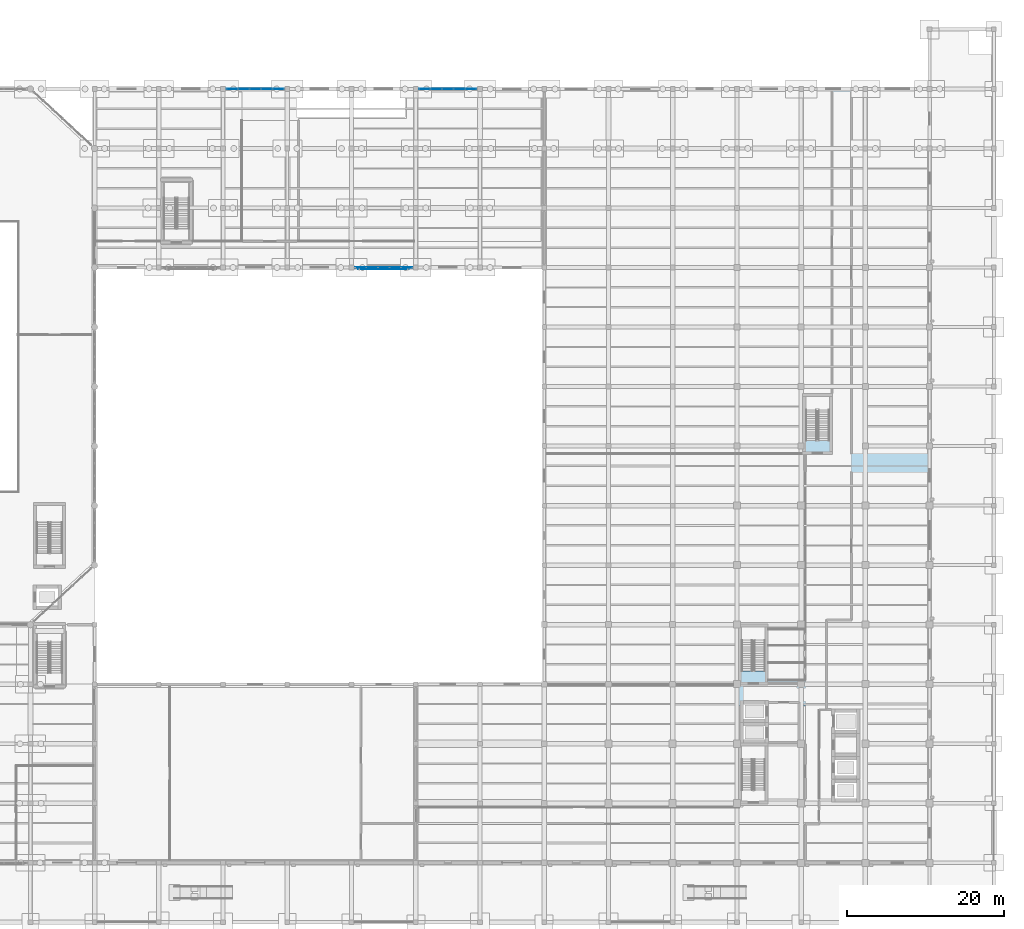
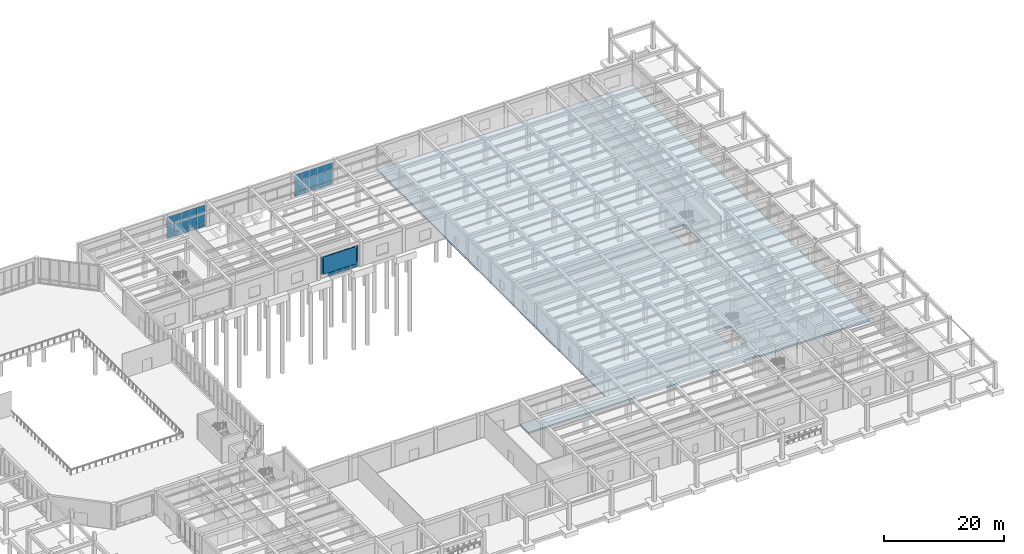
# One storey, part 40 of 64: 30 plates, 1 slab, 3 elements without a shape of their own.
"""IFC4 building model written with IfcOpenShell, lengths in metres."""

from ifc_helpers import new_model, si_unit, direction, frame, origin, origin_2d, place, context, subcontext, project, spatial, polyline, rectangle, outline, extrude, material, layer, layer_set, type_object, element, aggregate, save


model = new_model("IFC4")

# Units and contexts
model_context = context("Model", 3, precision=1e-05, world=origin(), true_north=direction((0.0, 1.0)))
body_context = subcontext(model_context, "Body", "Model", "MODEL_VIEW")
ifc_project = project(units=[si_unit("LENGTHUNIT", "METRE"), si_unit("AREAUNIT", "SQUARE_METRE"), si_unit("VOLUMEUNIT", "CUBIC_METRE"), si_unit("PLANEANGLEUNIT", "RADIAN"), si_unit("MASSUNIT", "GRAM", prefix="KILO")], contexts=[model_context])

# Site, building, storey
site_placement = place(None, origin())
site = spatial("IfcSite", under=ifc_project, at=site_placement, CompositionType="ELEMENT")
building_placement = place(site_placement, origin())
building = spatial("IfcBuilding", under=site, at=building_placement, Name="Qandaris Square Conservatory and Botanical Centre", CompositionType="ELEMENT")
storey_placement = place(building_placement, origin())
storey = spatial("IfcBuildingStorey", under=building, at=storey_placement, Name="L00", CompositionType="ELEMENT", Elevation=0.0)

# Curtain wall, plates
ifc_material_1 = material(Name="Anodised Aluminium", Category="aluminium")
curtain_wall_type_1 = type_object("IfcCurtainWallType", Name="Unitised Curtain Wall CW-5-740x450", PredefinedType="USERDEFINED", material=ifc_material_1)
curtain_wall_1_placement = place(storey_placement, origin())
curtain_wall_1 = element("IfcCurtainWall", 1, at=curtain_wall_1_placement, inside=storey, type_object=curtain_wall_type_1, Name="Curtain Wall CW-V3B-L00-1-5", ObjectType="GLAZED CURTAIN WALL", PredefinedType="USERDEFINED")
ifc_material_2 = material(Name="Tempered Low-E Glass", Category="glass")
ifc_layer_1 = layer(ifc_material_2, 0.035888671875)
ifc_layer_set_1 = layer_set([ifc_layer_1], Name="Tempered Low-E Glass")
plate_type_1 = type_object("IfcPlateType", Name="Double-Glazed Solar Control Vision Unit 36mm", PredefinedType="CURTAIN_PANEL", material=ifc_layer_set_1)
plate_1_placement = place(storey_placement, frame((91.15625, 92.60009765625, 0.88232421875), z_axis=(0.0, 0.0, 1.0), x_axis=(1.0, 0.0, 0.0)))
plate_1 = element("IfcPlate", 2, at=plate_1_placement, type_object=plate_type_1, Name="CW-5-740x450 panel 1.2", PredefinedType="CURTAIN_PANEL", context=body_context, shape_type="SweptSolid", body=[
    extrude(rectangle(XDim=1.382568359375, YDim=0.035888671875, at=origin_2d()), origin(), (0.0, 0.0, 1.0), 3.552490234375),
])
plate_2_placement = place(storey_placement, frame((92.6201171875, 92.60009765625, 0.06494140625), z_axis=(0.0, 0.0, 1.0), x_axis=(1.0, 0.0, 0.0)))
plate_2 = element("IfcPlate", 3, at=plate_2_placement, type_object=plate_type_1, Name="CW-5-740x450 panel 2.1", PredefinedType="CURTAIN_PANEL", context=body_context, shape_type="SweptSolid", body=[
    extrude(rectangle(XDim=1.4150390625, YDim=0.035888671875, at=origin_2d()), origin(), (0.0, 0.0, 1.0), 0.75244140625),
])
plate_3_placement = place(storey_placement, frame((92.6201171875, 92.60009765625, 0.88232421875), z_axis=(0.0, 0.0, 1.0), x_axis=(1.0, 0.0, 0.0)))
plate_3 = element("IfcPlate", 4, at=plate_3_placement, type_object=plate_type_1, Name="CW-5-740x450 panel 2.2", PredefinedType="CURTAIN_PANEL", context=body_context, shape_type="SweptSolid", body=[
    extrude(rectangle(XDim=1.4150390625, YDim=0.035888671875, at=origin_2d()), origin(), (0.0, 0.0, 1.0), 3.552490234375),
])
plate_4_placement = place(storey_placement, frame((94.10009765625, 92.60009765625, 0.06494140625), z_axis=(0.0, 0.0, 1.0), x_axis=(1.0, 0.0, 0.0)))
plate_4 = element("IfcPlate", 5, at=plate_4_placement, type_object=plate_type_1, Name="CW-5-740x450 panel 3.1", PredefinedType="CURTAIN_PANEL", context=body_context, shape_type="SweptSolid", body=[
    extrude(rectangle(XDim=1.4150390625, YDim=0.035888671875, at=origin_2d()), origin(), (0.0, 0.0, 1.0), 0.75244140625),
])
plate_5_placement = place(storey_placement, frame((94.10009765625, 92.60009765625, 0.88232421875), z_axis=(0.0, 0.0, 1.0), x_axis=(1.0, 0.0, 0.0)))
plate_5 = element("IfcPlate", 6, at=plate_5_placement, type_object=plate_type_1, Name="CW-5-740x450 panel 3.2", PredefinedType="CURTAIN_PANEL", context=body_context, shape_type="SweptSolid", body=[
    extrude(rectangle(XDim=1.4150390625, YDim=0.035888671875, at=origin_2d()), origin(), (0.0, 0.0, 1.0), 3.552490234375),
])
plate_6_placement = place(storey_placement, frame((95.580078125, 92.60009765625, 0.06494140625), z_axis=(0.0, 0.0, 1.0), x_axis=(1.0, 0.0, 0.0)))
plate_6 = element("IfcPlate", 7, at=plate_6_placement, type_object=plate_type_1, Name="CW-5-740x450 panel 4.1", PredefinedType="CURTAIN_PANEL", context=body_context, shape_type="SweptSolid", body=[
    extrude(rectangle(XDim=1.4150390625, YDim=0.035888671875, at=origin_2d()), origin(), (0.0, 0.0, 1.0), 0.75244140625),
])
plate_7_placement = place(storey_placement, frame((95.580078125, 92.60009765625, 0.88232421875), z_axis=(0.0, 0.0, 1.0), x_axis=(1.0, 0.0, 0.0)))
plate_7 = element("IfcPlate", 8, at=plate_7_placement, type_object=plate_type_1, Name="CW-5-740x450 panel 4.2", PredefinedType="CURTAIN_PANEL", context=body_context, shape_type="SweptSolid", body=[
    extrude(rectangle(XDim=1.4150390625, YDim=0.035888671875, at=origin_2d()), origin(), (0.0, 0.0, 1.0), 3.552490234375),
])
plate_8_placement = place(storey_placement, frame((97.043701171875, 92.60009765625, 0.06494140625), z_axis=(0.0, 0.0, 1.0), x_axis=(1.0, 0.0, 0.0)))
plate_8 = element("IfcPlate", 9, at=plate_8_placement, type_object=plate_type_1, Name="CW-5-740x450 panel 5.1", PredefinedType="CURTAIN_PANEL", context=body_context, shape_type="SweptSolid", body=[
    extrude(rectangle(XDim=1.382568359375, YDim=0.035888671875, at=origin_2d()), origin(), (0.0, 0.0, 1.0), 0.75244140625),
])
plate_9_placement = place(storey_placement, frame((97.043701171875, 92.60009765625, 0.88232421875), z_axis=(0.0, 0.0, 1.0), x_axis=(1.0, 0.0, 0.0)))
plate_9 = element("IfcPlate", 10, at=plate_9_placement, type_object=plate_type_1, Name="CW-5-740x450 panel 5.2", PredefinedType="CURTAIN_PANEL", context=body_context, shape_type="SweptSolid", body=[
    extrude(rectangle(XDim=1.382568359375, YDim=0.035888671875, at=origin_2d()), origin(), (0.0, 0.0, 1.0), 3.552490234375),
])
aggregate(curtain_wall_1, [plate_1, plate_2, plate_3, plate_4, plate_5, plate_6, plate_7, plate_8, plate_9])

curtain_wall_type_2 = type_object("IfcCurtainWallType", Name="Unitised Curtain Wall CW-6-740x454", PredefinedType="USERDEFINED", material=ifc_material_1)
curtain_wall_2_placement = place(storey_placement, origin())
curtain_wall_2 = element("IfcCurtainWall", 11, at=curtain_wall_2_placement, inside=storey, type_object=curtain_wall_type_2, Name="Curtain Wall CW-V3B-L00-3-2", ObjectType="GLAZED CURTAIN WALL", PredefinedType="USERDEFINED")
plate_10_placement = place(storey_placement, frame((105.24365234375, 115.39990234375, 0.06494140625), z_axis=(0.0, 0.0, 1.0), x_axis=(-1.0, 0.0, 0.0)))
plate_10 = element("IfcPlate", 12, at=plate_10_placement, type_object=plate_type_1, Name="CW-6-740x454 panel 1.1", PredefinedType="CURTAIN_PANEL", context=body_context, shape_type="SweptSolid", body=[
    extrude(rectangle(XDim=1.382568359375, YDim=0.035888671875, at=origin_2d()), origin(), (0.0, 0.0, 1.0), 0.75244140625),
])
plate_11_placement = place(storey_placement, frame((105.24365234375, 115.39990234375, 0.88232421875), z_axis=(0.0, 0.0, 1.0), x_axis=(-1.0, 0.0, 0.0)))
plate_11 = element("IfcPlate", 13, at=plate_11_placement, type_object=plate_type_1, Name="CW-6-740x454 panel 1.2", PredefinedType="CURTAIN_PANEL", context=body_context, shape_type="SweptSolid", body=[
    extrude(rectangle(XDim=1.382568359375, YDim=0.035888671875, at=origin_2d()), origin(), (0.0, 0.0, 1.0), 3.597412109375),
])
plate_12_placement = place(storey_placement, frame((103.780029296875, 115.39990234375, 0.06494140625), z_axis=(0.0, 0.0, 1.0), x_axis=(-1.0, 0.0, 0.0)))
plate_12 = element("IfcPlate", 14, at=plate_12_placement, type_object=plate_type_1, Name="CW-6-740x454 panel 2.1", PredefinedType="CURTAIN_PANEL", context=body_context, shape_type="SweptSolid", body=[
    extrude(rectangle(XDim=1.4150390625, YDim=0.035888671875, at=origin_2d()), origin(), (0.0, 0.0, 1.0), 0.75244140625),
])
plate_13_placement = place(storey_placement, frame((103.780029296875, 115.39990234375, 0.88232421875), z_axis=(0.0, 0.0, 1.0), x_axis=(-1.0, 0.0, 0.0)))
plate_13 = element("IfcPlate", 15, at=plate_13_placement, type_object=plate_type_1, Name="CW-6-740x454 panel 2.2", PredefinedType="CURTAIN_PANEL", context=body_context, shape_type="SweptSolid", body=[
    extrude(rectangle(XDim=1.4150390625, YDim=0.035888671875, at=origin_2d()), origin(), (0.0, 0.0, 1.0), 3.597412109375),
])
plate_14_placement = place(storey_placement, frame((102.300048828125, 115.39990234375, 0.06494140625), z_axis=(0.0, 0.0, 1.0), x_axis=(-1.0, 0.0, 0.0)))
plate_14 = element("IfcPlate", 16, at=plate_14_placement, type_object=plate_type_1, Name="CW-6-740x454 panel 3.1", PredefinedType="CURTAIN_PANEL", context=body_context, shape_type="SweptSolid", body=[
    extrude(rectangle(XDim=1.4150390625, YDim=0.035888671875, at=origin_2d()), origin(), (0.0, 0.0, 1.0), 0.75244140625),
])
plate_15_placement = place(storey_placement, frame((102.300048828125, 115.39990234375, 0.88232421875), z_axis=(0.0, 0.0, 1.0), x_axis=(-1.0, 0.0, 0.0)))
plate_15 = element("IfcPlate", 17, at=plate_15_placement, type_object=plate_type_1, Name="CW-6-740x454 panel 3.2", PredefinedType="CURTAIN_PANEL", context=body_context, shape_type="SweptSolid", body=[
    extrude(rectangle(XDim=1.4150390625, YDim=0.035888671875, at=origin_2d()), origin(), (0.0, 0.0, 1.0), 3.597412109375),
])
plate_16_placement = place(storey_placement, frame((100.820068359375, 115.39990234375, 0.06494140625), z_axis=(0.0, 0.0, 1.0), x_axis=(-1.0, 0.0, 0.0)))
plate_16 = element("IfcPlate", 18, at=plate_16_placement, type_object=plate_type_1, Name="CW-6-740x454 panel 4.1", PredefinedType="CURTAIN_PANEL", context=body_context, shape_type="SweptSolid", body=[
    extrude(rectangle(XDim=1.4150390625, YDim=0.035888671875, at=origin_2d()), origin(), (0.0, 0.0, 1.0), 0.75244140625),
])
plate_17_placement = place(storey_placement, frame((100.820068359375, 115.39990234375, 0.88232421875), z_axis=(0.0, 0.0, 1.0), x_axis=(-1.0, 0.0, 0.0)))
plate_17 = element("IfcPlate", 19, at=plate_17_placement, type_object=plate_type_1, Name="CW-6-740x454 panel 4.2", PredefinedType="CURTAIN_PANEL", context=body_context, shape_type="SweptSolid", body=[
    extrude(rectangle(XDim=1.4150390625, YDim=0.035888671875, at=origin_2d()), origin(), (0.0, 0.0, 1.0), 3.597412109375),
])
plate_18_placement = place(storey_placement, frame((99.356201171875, 115.39990234375, 0.06494140625), z_axis=(0.0, 0.0, 1.0), x_axis=(-1.0, 0.0, 0.0)))
plate_18 = element("IfcPlate", 20, at=plate_18_placement, type_object=plate_type_1, Name="CW-6-740x454 panel 5.1", PredefinedType="CURTAIN_PANEL", context=body_context, shape_type="SweptSolid", body=[
    extrude(rectangle(XDim=1.382568359375, YDim=0.035888671875, at=origin_2d()), origin(), (0.0, 0.0, 1.0), 0.75244140625),
])
plate_19_placement = place(storey_placement, frame((99.356201171875, 115.39990234375, 0.88232421875), z_axis=(0.0, 0.0, 1.0), x_axis=(-1.0, 0.0, 0.0)))
plate_19 = element("IfcPlate", 21, at=plate_19_placement, type_object=plate_type_1, Name="CW-6-740x454 panel 5.2", PredefinedType="CURTAIN_PANEL", context=body_context, shape_type="SweptSolid", body=[
    extrude(rectangle(XDim=1.382568359375, YDim=0.035888671875, at=origin_2d()), origin(), (0.0, 0.0, 1.0), 3.597412109375),
])
aggregate(curtain_wall_2, [plate_10, plate_11, plate_12, plate_13, plate_14, plate_15, plate_16, plate_17, plate_18, plate_19])

curtain_wall_3_placement = place(storey_placement, origin())
curtain_wall_3 = element("IfcCurtainWall", 22, at=curtain_wall_3_placement, inside=storey, type_object=curtain_wall_type_2, Name="Curtain Wall CW-V3B-L00-3-5", ObjectType="GLAZED CURTAIN WALL", PredefinedType="USERDEFINED")
plate_20_placement = place(storey_placement, frame((80.643798828125, 115.39990234375, 0.06494140625), z_axis=(0.0, 0.0, 1.0), x_axis=(-1.0, 0.0, 0.0)))
plate_20 = element("IfcPlate", 23, at=plate_20_placement, type_object=plate_type_1, Name="CW-6-740x454 panel 1.1", PredefinedType="CURTAIN_PANEL", context=body_context, shape_type="SweptSolid", body=[
    extrude(rectangle(XDim=1.382568359375, YDim=0.035888671875, at=origin_2d()), origin(), (0.0, 0.0, 1.0), 0.75244140625),
])
plate_21_placement = place(storey_placement, frame((80.643798828125, 115.39990234375, 0.88232421875), z_axis=(0.0, 0.0, 1.0), x_axis=(-1.0, 0.0, 0.0)))
plate_21 = element("IfcPlate", 24, at=plate_21_placement, type_object=plate_type_1, Name="CW-6-740x454 panel 1.2", PredefinedType="CURTAIN_PANEL", context=body_context, shape_type="SweptSolid", body=[
    extrude(rectangle(XDim=1.382568359375, YDim=0.035888671875, at=origin_2d()), origin(), (0.0, 0.0, 1.0), 3.597412109375),
])
plate_22_placement = place(storey_placement, frame((79.179931640625, 115.39990234375, 0.06494140625), z_axis=(0.0, 0.0, 1.0), x_axis=(-1.0, 0.0, 0.0)))
plate_22 = element("IfcPlate", 25, at=plate_22_placement, type_object=plate_type_1, Name="CW-6-740x454 panel 2.1", PredefinedType="CURTAIN_PANEL", context=body_context, shape_type="SweptSolid", body=[
    extrude(rectangle(XDim=1.4150390625, YDim=0.035888671875, at=origin_2d()), origin(), (0.0, 0.0, 1.0), 0.75244140625),
])
plate_23_placement = place(storey_placement, frame((79.179931640625, 115.39990234375, 0.88232421875), z_axis=(0.0, 0.0, 1.0), x_axis=(-1.0, 0.0, 0.0)))
plate_23 = element("IfcPlate", 26, at=plate_23_placement, type_object=plate_type_1, Name="CW-6-740x454 panel 2.2", PredefinedType="CURTAIN_PANEL", context=body_context, shape_type="SweptSolid", body=[
    extrude(rectangle(XDim=1.4150390625, YDim=0.035888671875, at=origin_2d()), origin(), (0.0, 0.0, 1.0), 3.597412109375),
])
plate_24_placement = place(storey_placement, frame((77.699951171875, 115.39990234375, 0.06494140625), z_axis=(0.0, 0.0, 1.0), x_axis=(-1.0, 0.0, 0.0)))
plate_24 = element("IfcPlate", 27, at=plate_24_placement, type_object=plate_type_1, Name="CW-6-740x454 panel 3.1", PredefinedType="CURTAIN_PANEL", context=body_context, shape_type="SweptSolid", body=[
    extrude(rectangle(XDim=1.4150390625, YDim=0.035888671875, at=origin_2d()), origin(), (0.0, 0.0, 1.0), 0.75244140625),
])
plate_25_placement = place(storey_placement, frame((77.699951171875, 115.39990234375, 0.88232421875), z_axis=(0.0, 0.0, 1.0), x_axis=(-1.0, 0.0, 0.0)))
plate_25 = element("IfcPlate", 28, at=plate_25_placement, type_object=plate_type_1, Name="CW-6-740x454 panel 3.2", PredefinedType="CURTAIN_PANEL", context=body_context, shape_type="SweptSolid", body=[
    extrude(rectangle(XDim=1.4150390625, YDim=0.035888671875, at=origin_2d()), origin(), (0.0, 0.0, 1.0), 3.597412109375),
])
plate_26_placement = place(storey_placement, frame((76.219970703125, 115.39990234375, 0.06494140625), z_axis=(0.0, 0.0, 1.0), x_axis=(-1.0, 0.0, 0.0)))
plate_26 = element("IfcPlate", 29, at=plate_26_placement, type_object=plate_type_1, Name="CW-6-740x454 panel 4.1", PredefinedType="CURTAIN_PANEL", context=body_context, shape_type="SweptSolid", body=[
    extrude(rectangle(XDim=1.4150390625, YDim=0.035888671875, at=origin_2d()), origin(), (0.0, 0.0, 1.0), 0.75244140625),
])
plate_27_placement = place(storey_placement, frame((76.219970703125, 115.39990234375, 0.88232421875), z_axis=(0.0, 0.0, 1.0), x_axis=(-1.0, 0.0, 0.0)))
plate_27 = element("IfcPlate", 30, at=plate_27_placement, type_object=plate_type_1, Name="CW-6-740x454 panel 4.2", PredefinedType="CURTAIN_PANEL", context=body_context, shape_type="SweptSolid", body=[
    extrude(rectangle(XDim=1.4150390625, YDim=0.035888671875, at=origin_2d()), origin(), (0.0, 0.0, 1.0), 3.597412109375),
])
plate_28_placement = place(storey_placement, frame((74.75634765625, 115.39990234375, 0.06494140625), z_axis=(0.0, 0.0, 1.0), x_axis=(-1.0, 0.0, 0.0)))
plate_28 = element("IfcPlate", 31, at=plate_28_placement, type_object=plate_type_1, Name="CW-6-740x454 panel 5.1", PredefinedType="CURTAIN_PANEL", context=body_context, shape_type="SweptSolid", body=[
    extrude(rectangle(XDim=1.382568359375, YDim=0.035888671875, at=origin_2d()), origin(), (0.0, 0.0, 1.0), 0.75244140625),
])
plate_29_placement = place(storey_placement, frame((74.75634765625, 115.39990234375, 0.88232421875), z_axis=(0.0, 0.0, 1.0), x_axis=(-1.0, 0.0, 0.0)))
plate_29 = element("IfcPlate", 32, at=plate_29_placement, type_object=plate_type_1, Name="CW-6-740x454 panel 5.2", PredefinedType="CURTAIN_PANEL", context=body_context, shape_type="SweptSolid", body=[
    extrude(rectangle(XDim=1.382568359375, YDim=0.035888671875, at=origin_2d()), origin(), (0.0, 0.0, 1.0), 3.597412109375),
])
aggregate(curtain_wall_3, [plate_20, plate_21, plate_22, plate_23, plate_24, plate_25, plate_26, plate_27, plate_28, plate_29])

# Plate
ifc_material_3 = material(Name="Weathering Bronze Alloy", Category="metal")
ifc_layer_2 = layer(ifc_material_3, 0.044921875)
ifc_layer_set_2 = layer_set([ifc_layer_2], Name="Weathering Bronze Alloy")
plate_type_2 = type_object("IfcPlateType", Name="Perforated Bronze Mashrabiya Solar Screen Panel", PredefinedType="USERDEFINED", material=ifc_layer_set_2)
plate_30_placement = place(storey_placement, frame((94.10009765625, 92.3798828125, 0.8798828125), z_axis=(0.0, 0.0, 1.0), x_axis=(1.0, 0.0, 0.0)))
element("IfcPlate", 33, at=plate_30_placement, inside=storey, type_object=plate_type_2, Name="Mashrabiya Solar Screen CW-V3B-L00-1-5", ObjectType="SOLAR SCREEN", PredefinedType="USERDEFINED", context=body_context, shape_type="SweptSolid", body=[
    extrude(rectangle(XDim=6.43994140625, YDim=0.044921875, at=origin_2d()), origin(), (0.0, 0.0, 1.0), 3.530029296875),
])

# Slab
ifc_material_4 = material(Name="Concrete C40/50", Category="concrete")
ifc_layer_3 = layer(ifc_material_4, 0.340087890625)
ifc_layer_set_3 = layer_set([ifc_layer_3], Name="Concrete C40/50")
slab_type = type_object("IfcSlabType", Name="RC Structural Slab 340mm", PredefinedType="FLOOR", material=ifc_layer_set_3)
slab_placement = place(storey_placement, frame((0.0, 0.0, -0.340087890625)))
element("IfcSlab", 34, at=slab_placement, inside=storey, type_object=slab_type, Name="L00 Structural Slab V4L00", PredefinedType="FLOOR", context=body_context, shape_type="SweptSolid", body=[
    extrude(outline(polyline([(114.60009765625, 39.39990234375), (114.60009765625, 115.39990234375), (163.800048828125, 115.39990234375), (163.800048828125, 36.60009765625), (142.800048828125, 36.60009765625), (142.800048828125, 36.840087890625), (140.06005859375, 36.840087890625), (140.06005859375, 36.60009765625), (98.199951171875, 36.60009765625), (98.199951171875, 39.39990234375), (114.60009765625, 39.39990234375)]), holes=[polyline([(139.800048828125, 41.10009765625), (142.800048828125, 41.10009765625), (142.800048828125, 46.699951171875), (139.800048828125, 46.699951171875), (139.800048828125, 41.10009765625)]), polyline([(148.0, 76.10009765625), (148.0, 70.5), (151.0, 70.5), (151.0, 76.10009765625), (148.0, 76.10009765625)])]), origin(), (0.0, 0.0, 1.0), 0.340087890625),
])

save(model, "model.ifc")
